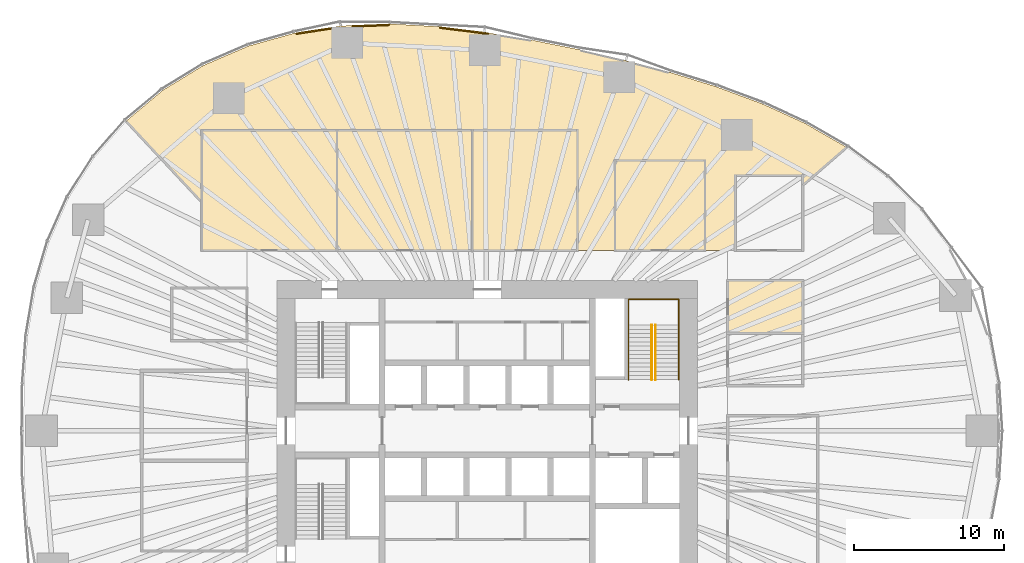
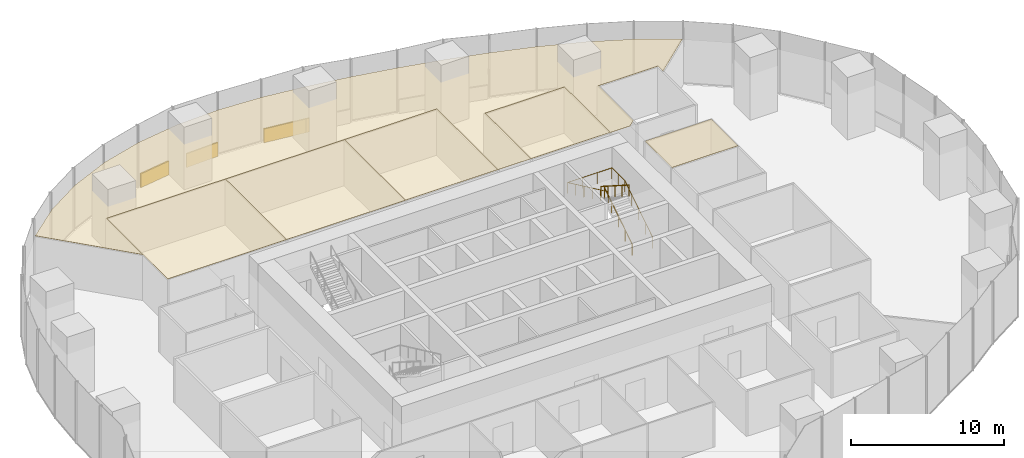
# One storey, part 19 of 20: 10 coverings, 3 railings.
"""IFC4 building model written with IfcOpenShell, lengths in metres."""

from ifc_helpers import new_model, si_unit, direction, frame, origin, origin_2d, place, context, subcontext, project, spatial, polyline, rectangle, circle, outline, extrude, material, layer, layer_set, type_object, element, save


model = new_model("IFC4")

# Units and contexts
model_context = context("Model", 3, precision=1e-05, world=origin(), true_north=direction((0.0, 1.0)))
body_context = subcontext(model_context, "Body", "Model", "MODEL_VIEW")
ifc_project = project(units=[si_unit("LENGTHUNIT", "METRE"), si_unit("AREAUNIT", "SQUARE_METRE"), si_unit("VOLUMEUNIT", "CUBIC_METRE"), si_unit("PLANEANGLEUNIT", "RADIAN"), si_unit("MASSUNIT", "GRAM", prefix="KILO")], contexts=[model_context])

# Site, building, storey
site_placement = place(None, origin())
site = spatial("IfcSite", under=ifc_project, at=site_placement, CompositionType="ELEMENT")
building_placement = place(site_placement, origin())
building = spatial("IfcBuilding", under=site, at=building_placement, Name="Ghaith Harvest Tower", CompositionType="ELEMENT")
storey_placement = place(building_placement, frame((0.0, 0.0, 25.0)))
storey = spatial("IfcBuildingStorey", under=building, at=storey_placement, Name="L05", CompositionType="ELEMENT", Elevation=25.0)

# Coverings
ifc_material_1 = material(Name="Mineral fibre ceiling tile", Category="gypsum")
ifc_layer_1 = layer(ifc_material_1, 0.02490234375)
ifc_layer_set_1 = layer_set([ifc_layer_1], Name="CEILING C2")
covering_type_1 = type_object("IfcCoveringType", Name="CEILING C2", PredefinedType="CEILING", material=ifc_layer_set_1)
covering_1_placement = place(storey_placement, frame((0.0, 0.0, 3.60009765625)))
element("IfcCovering", 1, at=covering_1_placement, inside=storey, type_object=covering_type_1, Name="Ceiling L05-01", PredefinedType="CEILING", context=body_context, shape_type="SweptSolid", body=[
    extrude(outline(polyline([(-19.0, 12.0), (-10.0, 12.0), (-10.0, 20.0), (-19.0, 20.0), (-19.0, 12.0)])), origin(), (0.0, 0.0, 1.0), 0.02490234375),
])
covering_2_placement = place(storey_placement, frame((0.0, 0.0, 3.60009765625)))
element("IfcCovering", 2, at=covering_2_placement, inside=storey, type_object=covering_type_1, Name="Ceiling L05-02", PredefinedType="CEILING", context=body_context, shape_type="SweptSolid", body=[
    extrude(outline(polyline([(-10.0, 12.0), (-1.0, 12.0), (-1.0, 20.0), (-10.0, 20.0), (-10.0, 12.0)])), origin(), (0.0, 0.0, 1.0), 0.02490234375),
])
covering_3_placement = place(storey_placement, frame((0.0, 0.0, 3.60009765625)))
element("IfcCovering", 3, at=covering_3_placement, inside=storey, type_object=covering_type_1, Name="Ceiling L05-03", PredefinedType="CEILING", context=body_context, shape_type="SweptSolid", body=[
    extrude(outline(polyline([(-1.0, 12.0), (6.0, 12.0), (6.0, 20.0), (-1.0, 20.0), (-1.0, 12.0)])), origin(), (0.0, 0.0, 1.0), 0.02490234375),
])
covering_4_placement = place(storey_placement, frame((0.0, 0.0, 3.60009765625)))
element("IfcCovering", 4, at=covering_4_placement, inside=storey, type_object=covering_type_1, Name="Ceiling L05-04", PredefinedType="CEILING", context=body_context, shape_type="SweptSolid", body=[
    extrude(outline(polyline([(8.5, 12.0), (14.5, 12.0), (14.5, 18.0), (8.5, 18.0), (8.5, 12.0)])), origin(), (0.0, 0.0, 1.0), 0.02490234375),
])
covering_5_placement = place(storey_placement, frame((0.0, 0.0, 3.60009765625)))
element("IfcCovering", 5, at=covering_5_placement, inside=storey, type_object=covering_type_1, Name="Ceiling L05-17", PredefinedType="CEILING", context=body_context, shape_type="SweptSolid", body=[
    extrude(outline(polyline([(16.0, 6.5), (21.0, 6.5), (21.0, 10.0), (16.0, 10.0), (16.0, 6.5)])), origin(), (0.0, 0.0, 1.0), 0.02490234375),
])
covering_6_placement = place(storey_placement, frame((0.0, 0.0, 3.60009765625)))
element("IfcCovering", 6, at=covering_6_placement, inside=storey, type_object=covering_type_1, Name="Ceiling L05-N1", PredefinedType="CEILING", context=body_context, shape_type="SweptSolid", body=[
    extrude(outline(polyline([(-21.59912109375, 22.671142578125), (-18.8935546875, 24.32763671875), (-15.907958984375, 25.614501953125), (-12.828125, 26.476806640625), (-9.733642578125, 26.949951171875), (-6.4375, 27.0849609375), (-3.24755859375, 26.91064453125), (-0.181396484375, 26.527099609375), (2.99560546875, 26.004150390625), (6.10888671875, 25.378662109375), (9.21533203125, 24.65087890625), (12.1796875, 23.857666015625), (15.22119140625, 22.916259765625), (18.34521484375, 21.7548828125), (21.149169921875, 20.469482421875), (23.92431640625, 18.873046875), (21.0, 16.336669921875), (21.0, 17.0), (16.5, 17.0), (16.5, 12.43359375), (16.0, 12.0), (14.5, 12.0), (14.5, 18.0), (8.5, 18.0), (8.5, 12.0), (6.0, 12.0), (6.0, 20.0), (-19.0, 20.0), (-19.0, 15.21240234375), (-24.04833984375, 20.618408203125), (-21.59912109375, 22.671142578125)])), origin(), (0.0, 0.0, 1.0), 0.02490234375),
])

# Railings
ifc_material_2 = material(Name="Steel, black powder-coated", Category="steel")
railing_type = type_object("IfcRailingType", Name="HANDRAIL HR1", PredefinedType="HANDRAIL", material=ifc_material_2)
railing_1_placement = place(storey_placement, frame((11.199951171875, 3.39990234375, 0.178466796875)))
element("IfcRailing", 7, at=railing_1_placement, inside=storey, type_object=railing_type, Name="Handrail HR1 stair ST2 L05 flight 1 inner", PredefinedType="HANDRAIL", context=body_context, shape_type="SweptSolid", body=[
    extrude(circle(Radius=0.02392578125, at=origin_2d()), frame((0.0, 0.0, 0.8759765625), z_axis=(0.0, 0.843127859045, 0.537713132908), x_axis=(-1.0, 0.0, 0.0)), (0.0, 0.0, 1.0), 4.3173828125),
    extrude(circle(Radius=0.02099609375, at=origin_2d()), origin(), (0.0, 0.0, 1.0), 0.851806640625),
    extrude(circle(Radius=0.02099609375, at=origin_2d()), frame((0.0, 0.91015625, 0.580322265625)), (0.0, 0.0, 1.0), 0.851806640625),
    extrude(circle(Radius=0.02099609375, at=origin_2d()), frame((0.0, 1.820068359375, 1.16064453125)), (0.0, 0.0, 1.0), 0.851806640625),
    extrude(circle(Radius=0.02099609375, at=origin_2d()), frame((0.0, 2.72998046875, 1.7412109375)), (0.0, 0.0, 1.0), 0.851806640625),
    extrude(circle(Radius=0.02099609375, at=origin_2d()), frame((0.0, 3.64013671875, 2.321533203125)), (0.0, 0.0, 1.0), 0.851806640625),
])
railing_2_placement = place(storey_placement, frame((10.949951171875, 7.0400390625, 2.678466796875)))
element("IfcRailing", 8, at=railing_2_placement, inside=storey, type_object=railing_type, Name="Handrail HR1 stair ST2 L05 flight 2 inner", PredefinedType="HANDRAIL", context=body_context, shape_type="SweptSolid", body=[
    extrude(circle(Radius=0.02392578125, at=origin_2d()), frame((0.0, 0.0, 0.8759765625), z_axis=(0.0, -0.843127859045, 0.537713132908), x_axis=(1.0, 0.0, 0.0)), (0.0, 0.0, 1.0), 4.3173828125),
    extrude(circle(Radius=0.02099609375, at=origin_2d()), origin(), (0.0, 0.0, 1.0), 0.851806640625),
    extrude(circle(Radius=0.02099609375, at=origin_2d()), frame((0.0, -0.91015625, 0.580322265625)), (0.0, 0.0, 1.0), 0.851806640625),
    extrude(circle(Radius=0.02099609375, at=origin_2d()), frame((0.0, -1.820068359375, 1.16064453125)), (0.0, 0.0, 1.0), 0.851806640625),
    extrude(circle(Radius=0.02099609375, at=origin_2d()), frame((0.0, -2.72998046875, 1.7412109375)), (0.0, 0.0, 1.0), 0.851806640625),
    extrude(circle(Radius=0.02099609375, at=origin_2d()), frame((0.0, -3.64013671875, 2.321533203125)), (0.0, 0.0, 1.0), 0.851806640625),
])
railing_3_placement = place(storey_placement, frame((12.75, 3.39990234375, 0.178466796875)))
element("IfcRailing", 9, at=railing_3_placement, inside=storey, type_object=railing_type, Name="Handrail HR1 stair ST2 L05 wall side", PredefinedType="HANDRAIL", context=body_context, shape_type="SweptSolid", body=[
    extrude(circle(Radius=0.02392578125, at=origin_2d()), frame((0.0, 0.0, 0.8759765625), z_axis=(0.0, 0.843127859045, 0.537713132908), x_axis=(-1.0, 0.0, 0.0)), (0.0, 0.0, 1.0), 4.3173828125),
    extrude(circle(Radius=0.02392578125, at=origin_2d()), frame((0.0, 3.64013671875, 3.197265625), z_axis=(0.0, 1.0, 0.0), x_axis=(-1.0, 0.0, 0.0)), (0.0, 0.0, 1.0), 1.7099609375),
    extrude(circle(Radius=0.02392578125, at=origin_2d()), frame((0.0, 5.35009765625, 3.197265625), z_axis=(-1.0, 0.0, 0.0), x_axis=(0.0, -1.0, 0.0)), (0.0, 0.0, 1.0), 3.35009765625),
    extrude(circle(Radius=0.02392578125, at=origin_2d()), frame((-3.35009765625, 5.35009765625, 3.197265625), z_axis=(0.0, -0.905969675553, 0.423342588193), x_axis=(1.0, 0.0, 0.0)), (0.0, 0.0, 1.0), 5.9052734375),
    extrude(circle(Radius=0.02099609375, at=origin_2d()), origin(), (0.0, 0.0, 1.0), 0.851806640625),
    extrude(circle(Radius=0.02099609375, at=origin_2d()), frame((0.0, 0.91015625, 0.580322265625)), (0.0, 0.0, 1.0), 0.851806640625),
    extrude(circle(Radius=0.02099609375, at=origin_2d()), frame((0.0, 1.820068359375, 1.16064453125)), (0.0, 0.0, 1.0), 0.851806640625),
    extrude(circle(Radius=0.02099609375, at=origin_2d()), frame((0.0, 2.72998046875, 1.7412109375)), (0.0, 0.0, 1.0), 0.851806640625),
    extrude(circle(Radius=0.02099609375, at=origin_2d()), frame((0.0, 3.64013671875, 2.321533203125)), (0.0, 0.0, 1.0), 0.851806640625),
    extrude(circle(Radius=0.02099609375, at=origin_2d()), frame((0.0, 4.4951171875, 2.321533203125)), (0.0, 0.0, 1.0), 0.851806640625),
    extrude(circle(Radius=0.02099609375, at=origin_2d()), frame((0.0, 5.35009765625, 2.321533203125)), (0.0, 0.0, 1.0), 0.851806640625),
    extrude(circle(Radius=0.02099609375, at=origin_2d()), frame((-1.11669921875, 5.35009765625, 2.321533203125)), (0.0, 0.0, 1.0), 0.851806640625),
    extrude(circle(Radius=0.02099609375, at=origin_2d()), frame((-2.2333984375, 5.35009765625, 2.321533203125)), (0.0, 0.0, 1.0), 0.851806640625),
    extrude(circle(Radius=0.02099609375, at=origin_2d()), frame((-3.35009765625, 5.35009765625, 2.321533203125)), (0.0, 0.0, 1.0), 0.851806640625),
    extrude(circle(Radius=0.02099609375, at=origin_2d()), frame((-3.35009765625, 4.280029296875, 2.821533203125)), (0.0, 0.0, 1.0), 0.851806640625),
    extrude(circle(Radius=0.02099609375, at=origin_2d()), frame((-3.35009765625, 3.2099609375, 3.321533203125)), (0.0, 0.0, 1.0), 0.851806640625),
    extrude(circle(Radius=0.02099609375, at=origin_2d()), frame((-3.35009765625, 2.14013671875, 3.821533203125)), (0.0, 0.0, 1.0), 0.851806640625),
    extrude(circle(Radius=0.02099609375, at=origin_2d()), frame((-3.35009765625, 1.070068359375, 4.321533203125)), (0.0, 0.0, 1.0), 0.851806640625),
    extrude(circle(Radius=0.02099609375, at=origin_2d()), frame((-3.35009765625, 0.0, 4.821533203125)), (0.0, 0.0, 1.0), 0.851806640625),
])

# Coverings
ifc_material_3 = material(Name="Insulated aluminium spandrel panel on steel framing", Category="steel")
ifc_layer_2 = layer(ifc_material_3, 0.10009765625)
ifc_layer_set_2 = layer_set([ifc_layer_2], Name="SLAB EDGE UPSTAND 1100x100")
covering_type_2 = type_object("IfcCoveringType", Name="SLAB EDGE UPSTAND 1100x100", PredefinedType="CLADDING", material=ifc_layer_set_2)
covering_7_placement = place(storey_placement, frame((-0.063720703125, 26.45703125, 0.0), z_axis=(0.0, 0.0, 1.0), x_axis=(-0.986716247541, 0.162453214305, 0.0)))
element("IfcCovering", 10, at=covering_7_placement, inside=storey, type_object=covering_type_2, Name="Slab edge upstand 3 bay 05 L05", PredefinedType="CLADDING", context=body_context, shape_type="SweptSolid", body=[
    extrude(rectangle(XDim=0.255126953125, YDim=0.10009765625, at=origin_2d()), origin(), (0.0, 0.0, 1.0), 1.10009765625),
])
covering_8_placement = place(storey_placement, frame((-1.671142578125, 26.6630859375, 0.0), z_axis=(0.0, 0.0, 1.0), x_axis=(-0.99226486887, 0.124138753038, 0.0)))
element("IfcCovering", 11, at=covering_8_placement, inside=storey, type_object=covering_type_2, Name="Slab edge upstand 1 bay 06 L05", PredefinedType="CLADDING", context=body_context, shape_type="SweptSolid", body=[
    extrude(rectangle(XDim=2.98974609375, YDim=0.10009765625, at=origin_2d()), origin(), (0.0, 0.0, 1.0), 1.10009765625),
])
covering_9_placement = place(storey_placement, frame((-7.75537109375, 26.98095703125, 0.0), z_axis=(0.0, 0.0, 1.0), x_axis=(-0.999160890982, -0.040957464901, 0.0)))
element("IfcCovering", 12, at=covering_9_placement, inside=storey, type_object=covering_type_2, Name="Slab edge upstand 3 bay 06 L05", PredefinedType="CLADDING", context=body_context, shape_type="SweptSolid", body=[
    extrude(rectangle(XDim=2.44189453125, YDim=0.10009765625, at=origin_2d()), origin(), (0.0, 0.0, 1.0), 1.10009765625),
])
covering_10_placement = place(storey_placement, frame((-11.5576171875, 26.62060546875, 0.0), z_axis=(0.0, 0.0, 1.0), x_axis=(-0.988517924816, -0.1511036476, 0.0)))
element("IfcCovering", 13, at=covering_10_placement, inside=storey, type_object=covering_type_2, Name="Slab edge upstand 1 bay 07 L05", PredefinedType="CLADDING", context=body_context, shape_type="SweptSolid", body=[
    extrude(rectangle(XDim=2.355224609375, YDim=0.10009765625, at=origin_2d()), origin(), (0.0, 0.0, 1.0), 1.10009765625),
])

save(model, "model.ifc")
